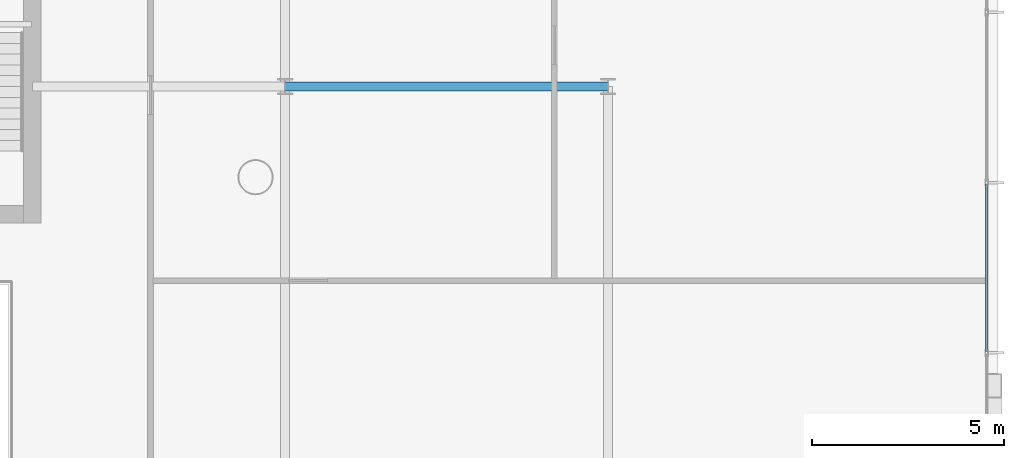
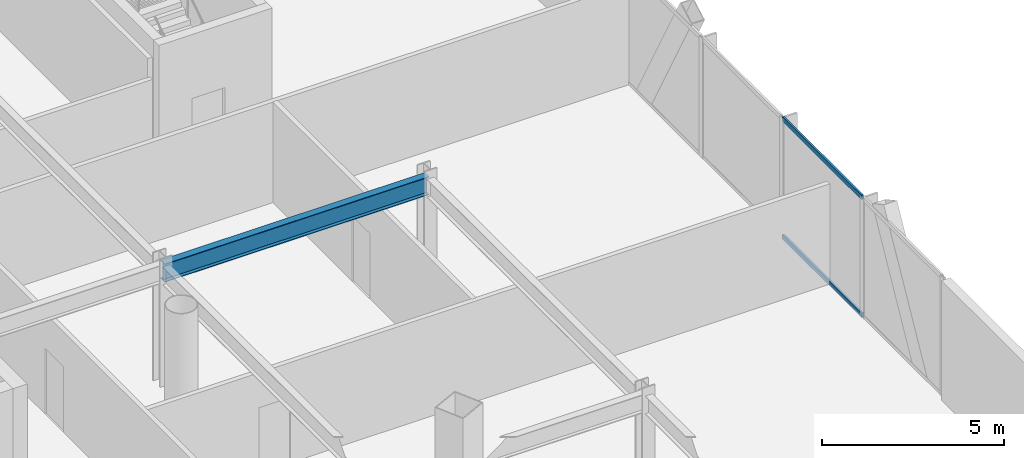
# One storey, part 21 of 42: 2 members, 1 beam, 1 element without a shape of its own.
"""IFC4 building model written with IfcOpenShell, lengths in metres."""

from ifc_helpers import new_model, si_unit, direction, frame, origin, origin_2d, place, context, subcontext, project, spatial, hollow_rectangle, i_section, extrude, material, layer, layer_set, material_profile, profile_set, type_object, element, aggregate, save


model = new_model("IFC4")

# Units and contexts
model_context = context("Model", 3, precision=1e-05, world=origin(), true_north=direction((0.0, 1.0)))
body_context = subcontext(model_context, "Body", "Model", "MODEL_VIEW")
ifc_project = project(units=[si_unit("LENGTHUNIT", "METRE"), si_unit("AREAUNIT", "SQUARE_METRE"), si_unit("VOLUMEUNIT", "CUBIC_METRE"), si_unit("PLANEANGLEUNIT", "RADIAN"), si_unit("MASSUNIT", "GRAM", prefix="KILO")], contexts=[model_context])

# Site, building, storey
site_placement = place(None, origin())
site = spatial("IfcSite", under=ifc_project, at=site_placement, CompositionType="ELEMENT")
building_placement = place(site_placement, origin())
building = spatial("IfcBuilding", under=site, at=building_placement, Name="Orvanel Arch Residences", CompositionType="ELEMENT")
storey_placement = place(building_placement, frame((0.0, 0.0, 9.800048828125)))
storey = spatial("IfcBuildingStorey", under=building, at=storey_placement, Name="L02", CompositionType="ELEMENT", Elevation=9.800048828125)

# Beam
ifc_material_1 = material(Name="Structural steel AS/NZS 3679.1 Grade 300 (300 MPa)", Category="steel")
ifc_material_profile_1 = material_profile(ifc_material_1, i_section(OverallWidth=0.22900390625, OverallDepth=0.612060546875, WebThickness=0.011962890625, FlangeThickness=0.01953125, at=origin_2d()), Name="610UB125")
ifc_profile_set_1 = profile_set([ifc_material_profile_1], Name="Structural steel AS/NZS 3679.1 Grade 300 (300 MPa)")
beam_type = type_object("IfcBeamType", Name="BG-610UB", PredefinedType="BEAM", material=ifc_profile_set_1)
beam_placement = place(storey_placement, frame((46.199951171875, 30.0, 3.7138671875), z_axis=(1.0, 0.0, 0.0), x_axis=(0.0, 1.0, 0.0)))
element("IfcBeam", 1, at=beam_placement, inside=storey, type_object=beam_type, Name="L02 BG-610UB beam", PredefinedType="BEAM", context=body_context, shape_type="SweptSolid", body=[
    extrude(i_section(OverallWidth=0.22900390625, OverallDepth=0.612060546875, WebThickness=0.011962890625, FlangeThickness=0.01953125, at=origin_2d()), origin(), (0.0, 0.0, 1.0), 8.400146484375),
])

# Curtain wall, members
ifc_material_2 = material(Name="Bronze-anodised aluminium AA6063-T6", Category="aluminium")
ifc_layer = layer(ifc_material_2, 0.199951171875)
ifc_layer_set = layer_set([ifc_layer], Name="Bronze-anodised aluminium AA6063-T6")
curtain_wall_type = type_object("IfcCurtainWallType", Name="CW1-POD-SYS", PredefinedType="NOTDEFINED", material=ifc_layer_set)
curtain_wall_placement = place(storey_placement, origin())
curtain_wall = element("IfcCurtainWall", 2, at=curtain_wall_placement, inside=storey, type_object=curtain_wall_type, Name="L02 CW1-POD-SYS Unitised Curtain Wall", PredefinedType="NOTDEFINED")
ifc_material_profile_2 = material_profile(ifc_material_2, hollow_rectangle(XDim=0.06494140625, YDim=0.14990234375, WallThickness=0.00390625, at=origin_2d()), Name="ALU150x65x4")
ifc_profile_set_2 = profile_set([ifc_material_profile_2], Name="Bronze-anodised aluminium AA6063-T6")
member_type = type_object("IfcMemberType", Name="TRN-150x65", PredefinedType="USERDEFINED", material=ifc_profile_set_2)
member_1_placement = place(storey_placement, frame((64.449951171875, 23.107421875, 0.032470703125), z_axis=(0.0, 1.0, 0.0), x_axis=(-1.0, 0.0, 0.0)))
member_1 = element("IfcMember", 3, at=member_1_placement, type_object=member_type, Name="CW-S1 transom 2.1", ObjectType="TRANSOM", PredefinedType="USERDEFINED", context=body_context, shape_type="SweptSolid", body=[
    extrude(hollow_rectangle(XDim=0.06494140625, YDim=0.14990234375, WallThickness=0.00390625, at=origin_2d()), origin(), (0.0, 0.0, 1.0), 4.35498046875),
])
member_2_placement = place(storey_placement, frame((64.449951171875, 23.107421875, 3.987548828125), z_axis=(0.0, 1.0, 0.0), x_axis=(-1.0, 0.0, 0.0)))
member_2 = element("IfcMember", 4, at=member_2_placement, type_object=member_type, Name="CW-S1 transom 2.2", ObjectType="TRANSOM", PredefinedType="USERDEFINED", context=body_context, shape_type="SweptSolid", body=[
    extrude(hollow_rectangle(XDim=0.06494140625, YDim=0.14990234375, WallThickness=0.00390625, at=origin_2d()), origin(), (0.0, 0.0, 1.0), 4.35498046875),
])
aggregate(curtain_wall, [member_1, member_2])

save(model, "model.ifc")
